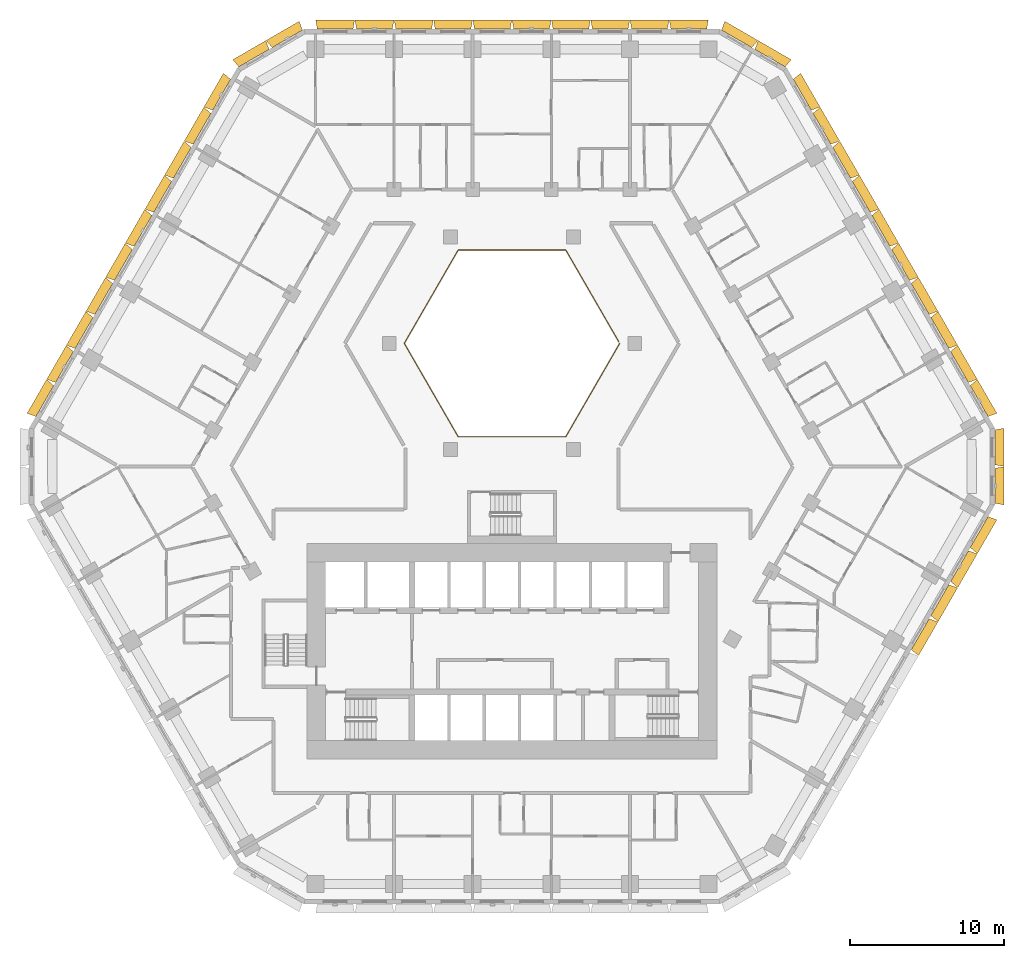
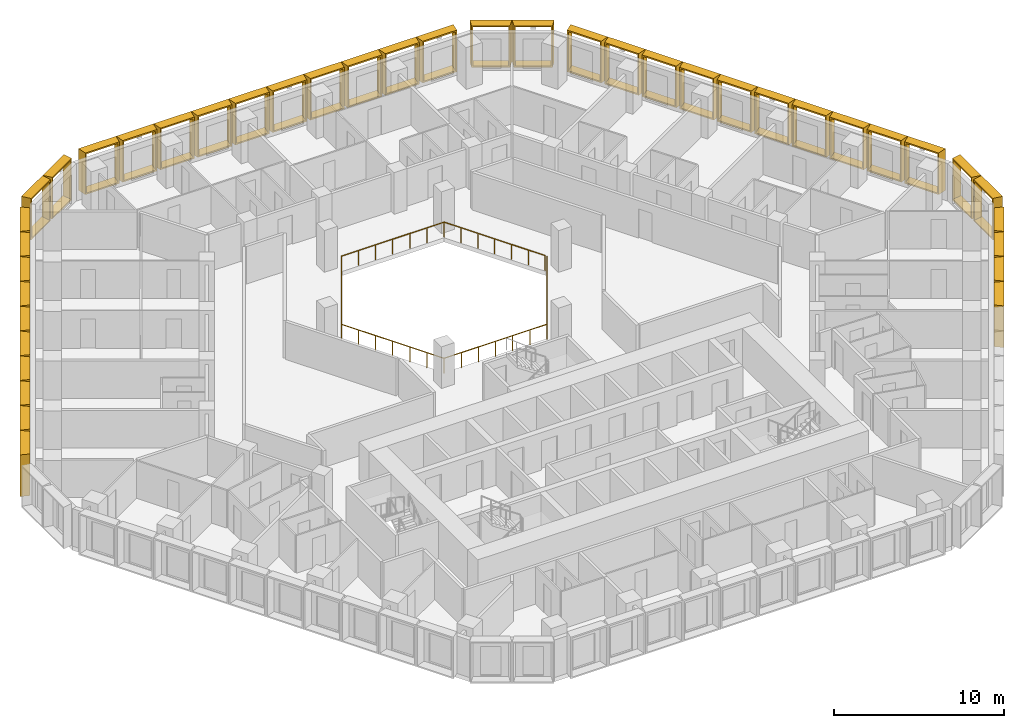
# One storey, part 21 of 21: 40 shading devices, 1 railing.
"""IFC4 building model written with IfcOpenShell, lengths in metres."""

from ifc_helpers import new_model, entity, si_unit, direction, frame, origin, origin_2d, place, context, subcontext, project, spatial, rectangle, extrude, source, transform, mapped, material, type_object, type_shapes, element, save


model = new_model("IFC4")

# Units and contexts
model_context = context("Model", 3, precision=1e-05, world=origin(), true_north=direction((0.0, 1.0)))
body_context = subcontext(model_context, "Body", "Model", "MODEL_VIEW")
ifc_project = project(units=[si_unit("LENGTHUNIT", "METRE"), si_unit("AREAUNIT", "SQUARE_METRE"), si_unit("VOLUMEUNIT", "CUBIC_METRE"), si_unit("PLANEANGLEUNIT", "RADIAN"), si_unit("MASSUNIT", "GRAM", prefix="KILO")], contexts=[model_context])

# Site, building, storey
site_placement = place(None, origin())
site = spatial("IfcSite", under=ifc_project, at=site_placement, CompositionType="ELEMENT")
building_placement = place(site_placement, origin())
building = spatial("IfcBuilding", under=site, at=building_placement, Name="Beryl Residences", CompositionType="ELEMENT")
storey_placement = place(building_placement, frame((0.0, 0.0, 53.39990234375)))
storey = spatial("IfcBuildingStorey", under=building, at=storey_placement, Name="L16", CompositionType="ELEMENT", Elevation=53.39990234375)

# Railing
ifc_material_1 = material(Name="Stainless steel balustrade with glass infill", Category="steel")
railing_type = type_object("IfcRailingType", Name="EG1 edge guard 1100 mm", PredefinedType="GUARDRAIL", material=ifc_material_1)
railing_placement = place(storey_placement, frame((6.9970703125, 8.0, 0.0)))
element("IfcRailing", 1, at=railing_placement, inside=storey, type_object=railing_type, Name="L16 atrium guard", PredefinedType="GUARDRAIL", context=body_context, shape_type="SweptSolid", body=[
    extrude(rectangle(XDim=0.048095703125, YDim=0.048095703125, at=origin_2d()), frame((0.0, 0.0, 1.076171875), z_axis=(-0.499921796684, -0.866070549782, 0.0), x_axis=(0.866070549782, -0.499921796684, 0.0)), (0.0, 0.0, 1.0), 6.9970703125),
    extrude(rectangle(XDim=0.048095703125, YDim=0.048095703125, at=origin_2d()), frame((-3.498046875, -6.06005859375, 1.076171875), z_axis=(-1.0, 0.0, 0.0), x_axis=(0.0, -1.0, 0.0)), (0.0, 0.0, 1.0), 6.998046875),
    extrude(rectangle(XDim=0.048095703125, YDim=0.048095703125, at=origin_2d()), frame((-10.49609375, -6.06005859375, 1.076171875), z_axis=(-0.499921796684, 0.866070549782, 0.0), x_axis=(-0.866070549782, -0.499921796684, 0.0)), (0.0, 0.0, 1.0), 6.9970703125),
    extrude(rectangle(XDim=0.048095703125, YDim=0.048095703125, at=origin_2d()), frame((-13.994140625, 0.0, 1.076171875), z_axis=(0.499921796684, 0.866070549782, 0.0), x_axis=(-0.866070549782, 0.499921796684, 0.0)), (0.0, 0.0, 1.0), 6.9970703125),
    extrude(rectangle(XDim=0.048095703125, YDim=0.048095703125, at=origin_2d()), frame((-10.49609375, 6.06005859375, 1.076171875), z_axis=(1.0, 0.0, 0.0), x_axis=(0.0, 1.0, 0.0)), (0.0, 0.0, 1.0), 6.998046875),
    extrude(rectangle(XDim=0.048095703125, YDim=0.048095703125, at=origin_2d()), frame((-3.498046875, 6.06005859375, 1.076171875), z_axis=(0.499919131929, -0.866072087953, 0.0), x_axis=(0.866072087953, 0.499919131929, 0.0)), (0.0, 0.0, 1.0), 6.877197265625),
    extrude(rectangle(XDim=0.0419921875, YDim=0.0419921875, at=origin_2d()), origin(), (0.0, 0.0, 1.0), 1.052001953125),
    extrude(rectangle(XDim=0.0419921875, YDim=0.0419921875, at=origin_2d()), frame((-0.5830078125, -1.010009765625, 0.0)), (0.0, 0.0, 1.0), 1.052001953125),
    extrude(rectangle(XDim=0.0419921875, YDim=0.0419921875, at=origin_2d()), frame((-1.166015625, -2.02001953125, 0.0)), (0.0, 0.0, 1.0), 1.052001953125),
    extrude(rectangle(XDim=0.0419921875, YDim=0.0419921875, at=origin_2d()), frame((-1.7490234375, -3.030029296875, 0.0)), (0.0, 0.0, 1.0), 1.052001953125),
    extrude(rectangle(XDim=0.0419921875, YDim=0.0419921875, at=origin_2d()), frame((-2.33203125, -4.0400390625, 0.0)), (0.0, 0.0, 1.0), 1.052001953125),
    extrude(rectangle(XDim=0.0419921875, YDim=0.0419921875, at=origin_2d()), frame((-2.9150390625, -5.050048828125, 0.0)), (0.0, 0.0, 1.0), 1.052001953125),
    extrude(rectangle(XDim=0.0419921875, YDim=0.0419921875, at=origin_2d()), frame((-3.498046875, -6.06005859375, 0.0)), (0.0, 0.0, 1.0), 1.052001953125),
    extrude(rectangle(XDim=0.0419921875, YDim=0.0419921875, at=origin_2d()), frame((-4.664306640625, -6.06005859375, 0.0)), (0.0, 0.0, 1.0), 1.052001953125),
    extrude(rectangle(XDim=0.0419921875, YDim=0.0419921875, at=origin_2d()), frame((-5.830810546875, -6.06005859375, 0.0)), (0.0, 0.0, 1.0), 1.052001953125),
    extrude(rectangle(XDim=0.0419921875, YDim=0.0419921875, at=origin_2d()), frame((-6.9970703125, -6.06005859375, 0.0)), (0.0, 0.0, 1.0), 1.052001953125),
    extrude(rectangle(XDim=0.0419921875, YDim=0.0419921875, at=origin_2d()), frame((-8.163330078125, -6.06005859375, 0.0)), (0.0, 0.0, 1.0), 1.052001953125),
    extrude(rectangle(XDim=0.0419921875, YDim=0.0419921875, at=origin_2d()), frame((-9.329833984375, -6.06005859375, 0.0)), (0.0, 0.0, 1.0), 1.052001953125),
    extrude(rectangle(XDim=0.0419921875, YDim=0.0419921875, at=origin_2d()), frame((-10.49609375, -6.06005859375, 0.0)), (0.0, 0.0, 1.0), 1.052001953125),
    extrude(rectangle(XDim=0.0419921875, YDim=0.0419921875, at=origin_2d()), frame((-11.0791015625, -5.050048828125, 0.0)), (0.0, 0.0, 1.0), 1.052001953125),
    extrude(rectangle(XDim=0.0419921875, YDim=0.0419921875, at=origin_2d()), frame((-11.662109375, -4.0400390625, 0.0)), (0.0, 0.0, 1.0), 1.052001953125),
    extrude(rectangle(XDim=0.0419921875, YDim=0.0419921875, at=origin_2d()), frame((-12.2451171875, -3.030029296875, 0.0)), (0.0, 0.0, 1.0), 1.052001953125),
    extrude(rectangle(XDim=0.0419921875, YDim=0.0419921875, at=origin_2d()), frame((-12.828125, -2.02001953125, 0.0)), (0.0, 0.0, 1.0), 1.052001953125),
    extrude(rectangle(XDim=0.0419921875, YDim=0.0419921875, at=origin_2d()), frame((-13.4111328125, -1.010009765625, 0.0)), (0.0, 0.0, 1.0), 1.052001953125),
    extrude(rectangle(XDim=0.0419921875, YDim=0.0419921875, at=origin_2d()), frame((-13.994140625, 0.0, 0.0)), (0.0, 0.0, 1.0), 1.052001953125),
    extrude(rectangle(XDim=0.0419921875, YDim=0.0419921875, at=origin_2d()), frame((-13.4111328125, 1.010009765625, 0.0)), (0.0, 0.0, 1.0), 1.052001953125),
    extrude(rectangle(XDim=0.0419921875, YDim=0.0419921875, at=origin_2d()), frame((-12.828125, 2.02001953125, 0.0)), (0.0, 0.0, 1.0), 1.052001953125),
    extrude(rectangle(XDim=0.0419921875, YDim=0.0419921875, at=origin_2d()), frame((-12.2451171875, 3.030029296875, 0.0)), (0.0, 0.0, 1.0), 1.052001953125),
    extrude(rectangle(XDim=0.0419921875, YDim=0.0419921875, at=origin_2d()), frame((-11.662109375, 4.0400390625, 0.0)), (0.0, 0.0, 1.0), 1.052001953125),
    extrude(rectangle(XDim=0.0419921875, YDim=0.0419921875, at=origin_2d()), frame((-11.0791015625, 5.050048828125, 0.0)), (0.0, 0.0, 1.0), 1.052001953125),
    extrude(rectangle(XDim=0.0419921875, YDim=0.0419921875, at=origin_2d()), frame((-10.49609375, 6.06005859375, 0.0)), (0.0, 0.0, 1.0), 1.052001953125),
    extrude(rectangle(XDim=0.0419921875, YDim=0.0419921875, at=origin_2d()), frame((-9.329833984375, 6.06005859375, 0.0)), (0.0, 0.0, 1.0), 1.052001953125),
    extrude(rectangle(XDim=0.0419921875, YDim=0.0419921875, at=origin_2d()), frame((-8.163330078125, 6.06005859375, 0.0)), (0.0, 0.0, 1.0), 1.052001953125),
    extrude(rectangle(XDim=0.0419921875, YDim=0.0419921875, at=origin_2d()), frame((-6.9970703125, 6.06005859375, 0.0)), (0.0, 0.0, 1.0), 1.052001953125),
    extrude(rectangle(XDim=0.0419921875, YDim=0.0419921875, at=origin_2d()), frame((-5.830810546875, 6.06005859375, 0.0)), (0.0, 0.0, 1.0), 1.052001953125),
    extrude(rectangle(XDim=0.0419921875, YDim=0.0419921875, at=origin_2d()), frame((-4.664306640625, 6.06005859375, 0.0)), (0.0, 0.0, 1.0), 1.052001953125),
    extrude(rectangle(XDim=0.0419921875, YDim=0.0419921875, at=origin_2d()), frame((-3.498046875, 6.06005859375, 0.0)), (0.0, 0.0, 1.0), 1.052001953125),
    extrude(rectangle(XDim=0.0419921875, YDim=0.0419921875, at=origin_2d()), frame((-2.925048828125, 5.0673828125, 0.0)), (0.0, 0.0, 1.0), 1.052001953125),
    extrude(rectangle(XDim=0.0419921875, YDim=0.0419921875, at=origin_2d()), frame((-2.35205078125, 4.07470703125, 0.0)), (0.0, 0.0, 1.0), 1.052001953125),
    extrude(rectangle(XDim=0.0419921875, YDim=0.0419921875, at=origin_2d()), frame((-1.779052734375, 3.08203125, 0.0)), (0.0, 0.0, 1.0), 1.052001953125),
    extrude(rectangle(XDim=0.0419921875, YDim=0.0419921875, at=origin_2d()), frame((-1.2060546875, 2.08935546875, 0.0)), (0.0, 0.0, 1.0), 1.052001953125),
    extrude(rectangle(XDim=0.0419921875, YDim=0.0419921875, at=origin_2d()), frame((-0.633056640625, 1.0966796875, 0.0)), (0.0, 0.0, 1.0), 1.052001953125),
    extrude(rectangle(XDim=0.0419921875, YDim=0.0419921875, at=origin_2d()), frame((-0.06005859375, 0.10400390625, 0.0)), (0.0, 0.0, 1.0), 1.052001953125),
])

# Shading devices
ifc_material_2 = material(Name="Aluminium pale anodised", Category="aluminium")
shading_device_type_1 = type_object("IfcShadingDeviceType", Name="FR250-60A OUTER SKIN frame 600 mm deep, splay 10/10 deg, 2500 x 3000 mm cell", PredefinedType="USERDEFINED", material=ifc_material_2)
cartesian_point_1 = entity("IfcCartesianPoint", [-1.134033203125, 0.0])
cartesian_point_2 = entity("IfcCartesianPoint", [-1.052734375, 0.10009765625])
cartesian_point_3 = entity("IfcCartesianPoint", [-1.23974609375, 0.0])
cartesian_point_4 = entity("IfcCartesianPoint", [-1.158447265625, 0.10009765625])
shared_shape_1 = source(origin(), body_context, "Body", "SweptSolid", [
    entity("IfcExtrudedAreaSolidTapered", entity("IfcArbitraryProfileDefWithVoids", "AREA", None, entity("IfcPolyline", [cartesian_point_1, entity("IfcCartesianPoint", [1.134033203125, 0.0]), entity("IfcCartesianPoint", [1.134033203125, 3.0]), entity("IfcCartesianPoint", [-1.134033203125, 3.0]), cartesian_point_1]), [entity("IfcPolyline", [cartesian_point_2, entity("IfcCartesianPoint", [1.052734375, 0.10009765625]), entity("IfcCartesianPoint", [1.052734375, 2.89990234375]), entity("IfcCartesianPoint", [-1.052734375, 2.89990234375]), cartesian_point_2])]), entity("IfcAxis2Placement3D", entity("IfcCartesianPoint", [0.0, 0.0, 0.0]), entity("IfcDirection", [0.0, 1.0, 0.0]), entity("IfcDirection", [-1.0, 0.0, 0.0])), entity("IfcDirection", [0.0, 0.0, 1.0]), 0.60009765625, entity("IfcArbitraryProfileDefWithVoids", "AREA", None, entity("IfcPolyline", [cartesian_point_3, entity("IfcCartesianPoint", [1.23974609375, 0.0]), entity("IfcCartesianPoint", [1.23974609375, 3.0]), entity("IfcCartesianPoint", [-1.23974609375, 3.0]), cartesian_point_3]), [entity("IfcPolyline", [cartesian_point_4, entity("IfcCartesianPoint", [1.158447265625, 0.10009765625]), entity("IfcCartesianPoint", [1.158447265625, 2.89990234375]), entity("IfcCartesianPoint", [-1.158447265625, 2.89990234375]), cartesian_point_4])])),
])
type_shapes(shading_device_type_1, [shared_shape_1])
for number, where, z_axis, x_axis, name in (
    (2, (-14.593017578125, 27.77490234375, 0.0), (0.0, 0.0, 1.0), (0.866025403784, 0.5, 0.0), "FR250-60A frame L16 N-NW 1"),
    (3, (-16.758056640625, 26.52490234375, 0.0), (0.0, 0.0, 1.0), (0.866025403784, 0.5, 0.0), "FR250-60A frame L16 N-NW 2"),
    (4, (31.35009765625, -1.25, 0.0), (0.0, 0.0, 1.0), (0.0, -1.0, 0.0), "FR250-60A frame L16 SE-NE 1"),
    (5, (31.35009765625, 1.25, 0.0), (0.0, 0.0, 1.0), (0.0, -1.0, 0.0), "FR250-60A frame L16 SE-NE 2"),
    (6, (16.758056640625, 26.52490234375, 0.0), (0.0, 0.0, 1.0), (0.866025403784, -0.5, 0.0), "FR250-60A frame L16 NE-N 1"),
    (7, (14.593017578125, 27.77490234375, 0.0), (0.0, 0.0, 1.0), (0.866025403784, -0.5, 0.0), "FR250-60A frame L16 NE-N 2"),
):
    element("IfcShadingDevice", number, at=place(storey_placement, frame(where, z_axis=z_axis, x_axis=x_axis)), inside=storey, type_object=shading_device_type_1, Name=name, ObjectType="OUTER SKIN", PredefinedType="USERDEFINED", context=body_context, shape_type="MappedRepresentation", body=[
        mapped(shared_shape_1, transform((0.0, 0.0, 0.0))),
    ])
ifc_material_3 = material(Name="Aluminium pale anodised", Category="aluminium")
shading_device_type_2 = type_object("IfcShadingDeviceType", Name="FR255-60A OUTER SKIN frame 600 mm deep, splay 10/10 deg, 2550 x 3000 mm cell", PredefinedType="USERDEFINED", material=ifc_material_3)
cartesian_point_5 = entity("IfcCartesianPoint", [-1.158935546875, 0.0])
cartesian_point_6 = entity("IfcCartesianPoint", [-1.077880859375, 0.10009765625])
cartesian_point_7 = entity("IfcCartesianPoint", [-1.264892578125, 0.0])
cartesian_point_8 = entity("IfcCartesianPoint", [-1.18359375, 0.10009765625])
shared_shape_2 = source(origin(), body_context, "Body", "SweptSolid", [
    entity("IfcExtrudedAreaSolidTapered", entity("IfcArbitraryProfileDefWithVoids", "AREA", None, entity("IfcPolyline", [cartesian_point_5, entity("IfcCartesianPoint", [1.158935546875, 0.0]), entity("IfcCartesianPoint", [1.158935546875, 3.0]), entity("IfcCartesianPoint", [-1.158935546875, 3.0]), cartesian_point_5]), [entity("IfcPolyline", [cartesian_point_6, entity("IfcCartesianPoint", [1.077880859375, 0.10009765625]), entity("IfcCartesianPoint", [1.077880859375, 2.89990234375]), entity("IfcCartesianPoint", [-1.077880859375, 2.89990234375]), cartesian_point_6])]), entity("IfcAxis2Placement3D", entity("IfcCartesianPoint", [0.0, 0.0, 0.0]), entity("IfcDirection", [0.0, 1.0, 0.0]), entity("IfcDirection", [-1.0, 0.0, 0.0])), entity("IfcDirection", [0.0, 0.0, 1.0]), 0.60009765625, entity("IfcArbitraryProfileDefWithVoids", "AREA", None, entity("IfcPolyline", [cartesian_point_7, entity("IfcCartesianPoint", [1.264892578125, 0.0]), entity("IfcCartesianPoint", [1.264892578125, 3.0]), entity("IfcCartesianPoint", [-1.264892578125, 3.0]), cartesian_point_7]), [entity("IfcPolyline", [cartesian_point_8, entity("IfcCartesianPoint", [1.18359375, 0.10009765625]), entity("IfcCartesianPoint", [1.18359375, 2.89990234375]), entity("IfcCartesianPoint", [-1.18359375, 2.89990234375]), cartesian_point_8])])),
])
type_shapes(shading_device_type_2, [shared_shape_2])
for number, where, z_axis, x_axis, name in (
    (8, (11.48291015625, 28.39990234375, 0.0), (0.0, 0.0, 1.0), (1.0, 0.0, 0.0), "FR255-60A frame L16 N 1"),
    (9, (8.930908203125, 28.39990234375, 0.0), (0.0, 0.0, 1.0), (1.0, 0.0, 0.0), "FR255-60A frame L16 N 2"),
    (10, (6.37890625, 28.39990234375, 0.0), (0.0, 0.0, 1.0), (1.0, 0.0, 0.0), "FR255-60A frame L16 N 3"),
    (11, (3.826904296875, 28.39990234375, 0.0), (0.0, 0.0, 1.0), (1.0, 0.0, 0.0), "FR255-60A frame L16 N 4"),
    (12, (1.27490234375, 28.39990234375, 0.0), (0.0, 0.0, 1.0), (1.0, 0.0, 0.0), "FR255-60A frame L16 N 5"),
    (13, (-1.277099609375, 28.39990234375, 0.0), (0.0, 0.0, 1.0), (1.0, 0.0, 0.0), "FR255-60A frame L16 N 6"),
    (14, (-3.8291015625, 28.39990234375, 0.0), (0.0, 0.0, 1.0), (1.0, 0.0, 0.0), "FR255-60A frame L16 N 7"),
    (15, (-6.381103515625, 28.39990234375, 0.0), (0.0, 0.0, 1.0), (1.0, 0.0, 0.0), "FR255-60A frame L16 N 8"),
    (16, (-8.93310546875, 28.39990234375, 0.0), (0.0, 0.0, 1.0), (1.0, 0.0, 0.0), "FR255-60A frame L16 N 9"),
    (17, (-11.485107421875, 28.39990234375, 0.0), (0.0, 0.0, 1.0), (1.0, 0.0, 0.0), "FR255-60A frame L16 N 10"),
    (18, (-18.85400390625, 24.14501953125, 0.0), (0.0, 0.0, 1.0), (0.5, 0.866025403784, 0.0), "FR255-60A frame L16 NW 1"),
    (19, (-20.1298828125, 21.93505859375, 0.0), (0.0, 0.0, 1.0), (0.5, 0.866025403784, 0.0), "FR255-60A frame L16 NW 2"),
    (20, (-21.406005859375, 19.72412109375, 0.0), (0.0, 0.0, 1.0), (0.5, 0.866025403784, 0.0), "FR255-60A frame L16 NW 3"),
    (21, (-22.681884765625, 17.513916015625, 0.0), (0.0, 0.0, 1.0), (0.5, 0.866025403784, 0.0), "FR255-60A frame L16 NW 4"),
    (22, (-23.9580078125, 15.303955078125, 0.0), (0.0, 0.0, 1.0), (0.5, 0.866025403784, 0.0), "FR255-60A frame L16 NW 5"),
    (23, (-25.23291015625, 13.093994140625, 0.0), (0.0, 0.0, 1.0), (0.5, 0.866025403784, 0.0), "FR255-60A frame L16 NW 6"),
    (24, (-26.509033203125, 10.884033203125, 0.0), (0.0, 0.0, 1.0), (0.5, 0.866025403784, 0.0), "FR255-60A frame L16 NW 7"),
    (25, (-27.784912109375, 8.674072265625, 0.0), (0.0, 0.0, 1.0), (0.5, 0.866025403784, 0.0), "FR255-60A frame L16 NW 8"),
    (26, (-29.06103515625, 6.464111328125, 0.0), (0.0, 0.0, 1.0), (0.5, 0.866025403784, 0.0), "FR255-60A frame L16 NW 9"),
    (27, (-30.3369140625, 4.25390625, 0.0), (0.0, 0.0, 1.0), (0.5, 0.866025403784, 0.0), "FR255-60A frame L16 NW 10"),
    (28, (26.509033203125, -10.884033203125, 0.0), (0.0, 0.0, 1.0), (-0.5, -0.866025403784, 0.0), "FR255-60A frame L16 SE 7"),
    (29, (27.784912109375, -8.674072265625, 0.0), (0.0, 0.0, 1.0), (-0.5, -0.866025403784, 0.0), "FR255-60A frame L16 SE 8"),
    (30, (29.06103515625, -6.464111328125, 0.0), (0.0, 0.0, 1.0), (-0.5, -0.866025403784, 0.0), "FR255-60A frame L16 SE 9"),
    (31, (30.3369140625, -4.25390625, 0.0), (0.0, 0.0, 1.0), (-0.5, -0.866025403784, 0.0), "FR255-60A frame L16 SE 10"),
    (32, (30.3359375, 4.2548828125, 0.0), (0.0, 0.0, 1.0), (0.5, -0.866025403784, 0.0), "FR255-60A frame L16 NE 1"),
    (33, (29.06005859375, 6.465087890625, 0.0), (0.0, 0.0, 1.0), (0.5, -0.866025403784, 0.0), "FR255-60A frame L16 NE 2"),
    (34, (27.783935546875, 8.676025390625, 0.0), (0.0, 0.0, 1.0), (0.5, -0.866025403784, 0.0), "FR255-60A frame L16 NE 3"),
    (35, (26.508056640625, 10.885986328125, 0.0), (0.0, 0.0, 1.0), (0.5, -0.866025403784, 0.0), "FR255-60A frame L16 NE 4"),
    (36, (25.23193359375, 13.095947265625, 0.0), (0.0, 0.0, 1.0), (0.5, -0.866025403784, 0.0), "FR255-60A frame L16 NE 5"),
    (37, (23.95703125, 15.305908203125, 0.0), (0.0, 0.0, 1.0), (0.5, -0.866025403784, 0.0), "FR255-60A frame L16 NE 6"),
    (38, (22.680908203125, 17.51611328125, 0.0), (0.0, 0.0, 1.0), (0.5, -0.866025403784, 0.0), "FR255-60A frame L16 NE 7"),
    (39, (21.405029296875, 19.72607421875, 0.0), (0.0, 0.0, 1.0), (0.5, -0.866025403784, 0.0), "FR255-60A frame L16 NE 8"),
    (40, (20.12890625, 21.93603515625, 0.0), (0.0, 0.0, 1.0), (0.5, -0.866025403784, 0.0), "FR255-60A frame L16 NE 9"),
    (41, (18.85302734375, 24.14599609375, 0.0), (0.0, 0.0, 1.0), (0.5, -0.866025403784, 0.0), "FR255-60A frame L16 NE 10"),
):
    element("IfcShadingDevice", number, at=place(storey_placement, frame(where, z_axis=z_axis, x_axis=x_axis)), inside=storey, type_object=shading_device_type_2, Name=name, ObjectType="OUTER SKIN", PredefinedType="USERDEFINED", context=body_context, shape_type="MappedRepresentation", body=[
        mapped(shared_shape_2, transform((0.0, 0.0, 0.0))),
    ])

save(model, "model.ifc")
